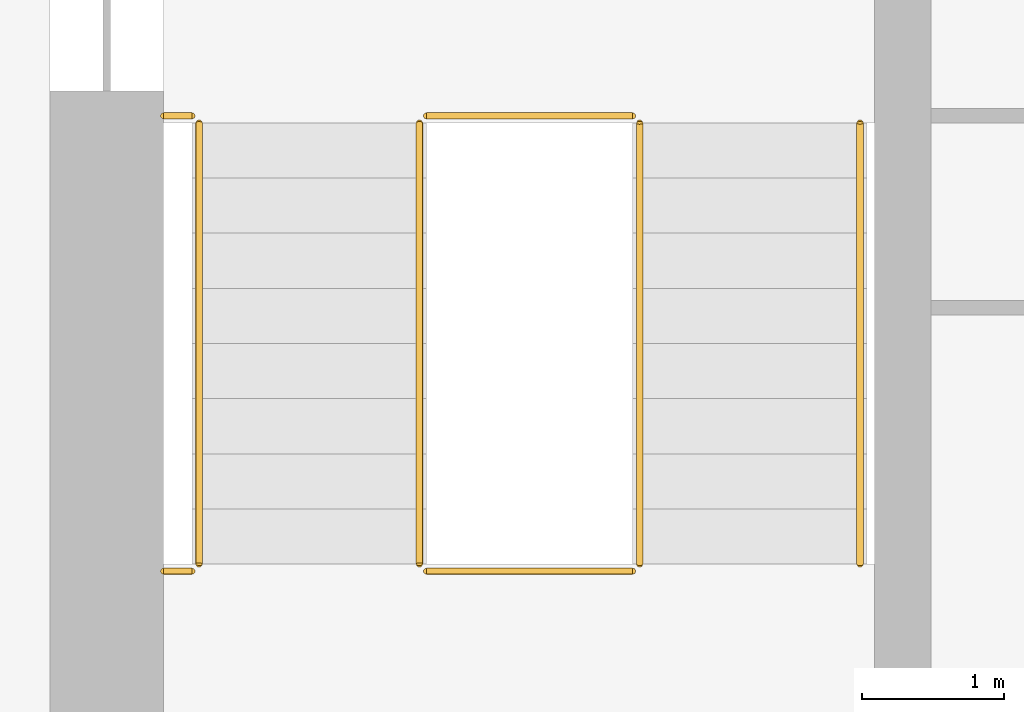
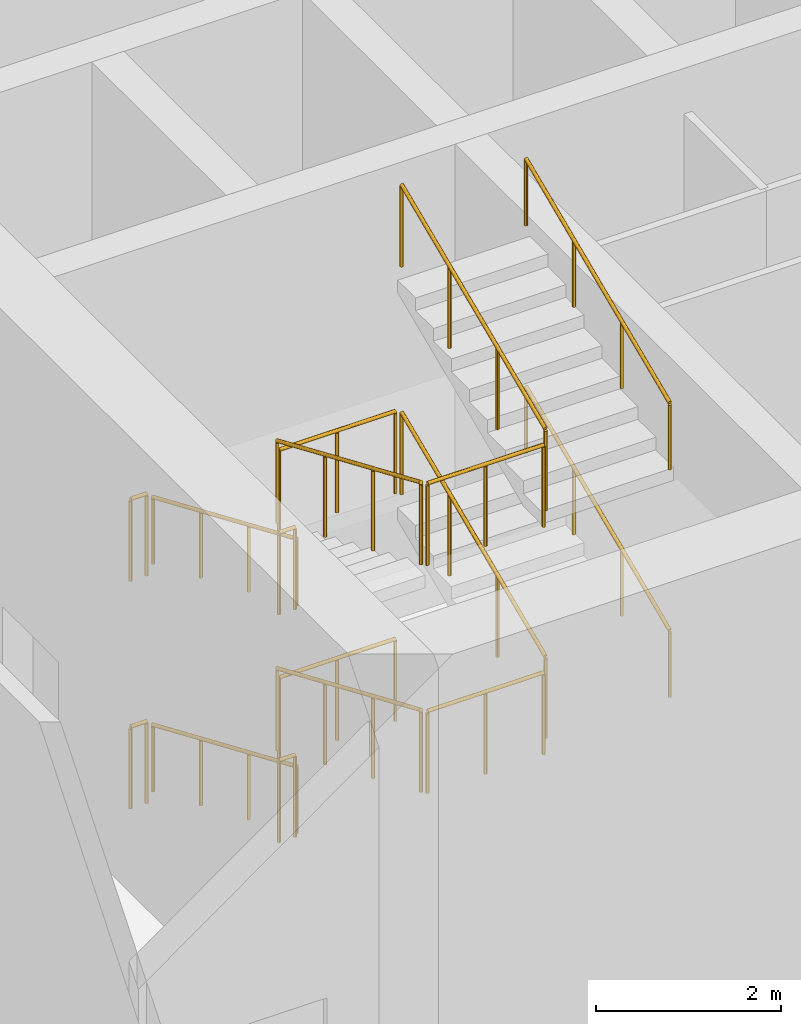
# One storey, part 19 of 25: 16 railings.
"""IFC4 building model written with IfcOpenShell, lengths in metres."""

from ifc_helpers import new_model, si_unit, direction, frame, origin, origin_2d, place, context, subcontext, project, spatial, circle, extrude, material, type_object, element, save


model = new_model("IFC4")

# Units and contexts
model_context = context("Model", 3, precision=1e-05, world=origin(), true_north=direction((0.0, 1.0)))
body_context = subcontext(model_context, "Body", "Model", "MODEL_VIEW")
ifc_project = project(units=[si_unit("LENGTHUNIT", "METRE"), si_unit("AREAUNIT", "SQUARE_METRE"), si_unit("VOLUMEUNIT", "CUBIC_METRE"), si_unit("PLANEANGLEUNIT", "RADIAN"), si_unit("MASSUNIT", "GRAM", prefix="KILO")], contexts=[model_context])

# Site, building, storey
site_placement = place(None, origin())
site = spatial("IfcSite", under=ifc_project, at=site_placement, CompositionType="ELEMENT")
building_placement = place(site_placement, origin())
building = spatial("IfcBuilding", under=site, at=building_placement, Name="Corbel Stack Research Tower", CompositionType="ELEMENT")
storey_placement = place(building_placement, frame((0.0, 0.0, 220.199951171875)))
storey = spatial("IfcBuildingStorey", under=building, at=storey_placement, Name="L50", CompositionType="ELEMENT", Elevation=220.199951171875)

# Railings
ifc_material_1 = material(Name="Steel S355", Category="steel")
railing_type_1 = type_object("IfcRailingType", Name="Stair guard 1100", PredefinedType="GUARDRAIL", material=ifc_material_1)
railing_1_placement = place(storey_placement, frame((-7.89990234375, -2.39990234375, 0.166748046875)))
element("IfcRailing", 1, at=railing_1_placement, inside=storey, type_object=railing_type_1, Name="L50 ST-W1 stair guard 1", PredefinedType="GUARDRAIL", context=body_context, shape_type="SweptSolid", body=[
    extrude(circle(Radius=0.02392578125, at=origin_2d()), frame((0.0, 0.0, 1.076171875), z_axis=(0.0, -0.918826996994, 0.394660549834), x_axis=(1.0, 0.0, 0.0)), (0.0, 0.0, 1.0), 3.378173828125),
    extrude(circle(Radius=0.02099609375, at=origin_2d()), origin(), (0.0, 0.0, 1.0), 1.052001953125),
    extrude(circle(Radius=0.02099609375, at=origin_2d()), frame((0.0, -1.03466796875, 0.4443359375)), (0.0, 0.0, 1.0), 1.052001953125),
    extrude(circle(Radius=0.02099609375, at=origin_2d()), frame((0.0, -2.0693359375, 0.888916015625)), (0.0, 0.0, 1.0), 1.052001953125),
    extrude(circle(Radius=0.02099609375, at=origin_2d()), frame((0.0, -3.10400390625, 1.333251953125)), (0.0, 0.0, 1.0), 1.052001953125),
])
railing_2_placement = place(storey_placement, frame((-7.85009765625, -5.553955078125, 1.5)))
element("IfcRailing", 2, at=railing_2_placement, inside=storey, type_object=railing_type_1, Name="L50 ST-W1 stair guard 2", PredefinedType="GUARDRAIL", context=body_context, shape_type="SweptSolid", body=[
    extrude(circle(Radius=0.02392578125, at=origin_2d()), frame((0.0, 0.0, 1.076171875), z_axis=(1.0, 0.0, 0.0), x_axis=(0.0, 1.0, 0.0)), (0.0, 0.0, 1.0), 1.4501953125),
    extrude(circle(Radius=0.02099609375, at=origin_2d()), origin(), (0.0, 0.0, 1.0), 1.052001953125),
    extrude(circle(Radius=0.02099609375, at=origin_2d()), frame((0.72509765625, 0.0, 0.0)), (0.0, 0.0, 1.0), 1.052001953125),
    extrude(circle(Radius=0.02099609375, at=origin_2d()), frame((1.4501953125, 0.0, 0.0)), (0.0, 0.0, 1.0), 1.052001953125),
])
railing_3_placement = place(storey_placement, frame((-9.699951171875, -5.553955078125, 1.5)))
element("IfcRailing", 3, at=railing_3_placement, inside=storey, type_object=railing_type_1, Name="L50 ST-W1 stair guard 3", PredefinedType="GUARDRAIL", context=body_context, shape_type="SweptSolid", body=[
    extrude(circle(Radius=0.02392578125, at=origin_2d()), frame((0.0, 0.0, 1.076171875), z_axis=(1.0, 0.0, 0.0), x_axis=(0.0, 1.0, 0.0)), (0.0, 0.0, 1.0), 0.199951171875),
    extrude(circle(Radius=0.02099609375, at=origin_2d()), origin(), (0.0, 0.0, 1.0), 1.052001953125),
    extrude(circle(Radius=0.02099609375, at=origin_2d()), frame((0.199951171875, 0.0, 0.0)), (0.0, 0.0, 1.0), 1.052001953125),
])
railing_4_placement = place(storey_placement, frame((-6.35009765625, -5.50390625, 1.666748046875)))
element("IfcRailing", 4, at=railing_4_placement, inside=storey, type_object=railing_type_1, Name="L50 ST-W1 stair guard 4", PredefinedType="GUARDRAIL", context=body_context, shape_type="SweptSolid", body=[
    extrude(circle(Radius=0.02392578125, at=origin_2d()), frame((0.0, 0.0, 1.076171875), z_axis=(0.0, 0.918826996994, 0.394660549834), x_axis=(-1.0, 0.0, 0.0)), (0.0, 0.0, 1.0), 3.378173828125),
    extrude(circle(Radius=0.02099609375, at=origin_2d()), origin(), (0.0, 0.0, 1.0), 1.052001953125),
    extrude(circle(Radius=0.02099609375, at=origin_2d()), frame((0.0, 1.03466796875, 0.4443359375)), (0.0, 0.0, 1.0), 1.052001953125),
    extrude(circle(Radius=0.02099609375, at=origin_2d()), frame((0.0, 2.0693359375, 0.888916015625)), (0.0, 0.0, 1.0), 1.052001953125),
    extrude(circle(Radius=0.02099609375, at=origin_2d()), frame((0.0, 3.10400390625, 1.333251953125)), (0.0, 0.0, 1.0), 1.052001953125),
])
railing_5_placement = place(storey_placement, frame((-7.85009765625, -2.35009765625, 3.0)))
element("IfcRailing", 5, at=railing_5_placement, inside=storey, type_object=railing_type_1, Name="L50 ST-W1 stair guard 5", PredefinedType="GUARDRAIL", context=body_context, shape_type="SweptSolid", body=[
    extrude(circle(Radius=0.02392578125, at=origin_2d()), frame((0.0, 0.0, 1.076171875), z_axis=(1.0, 0.0, 0.0), x_axis=(0.0, 1.0, 0.0)), (0.0, 0.0, 1.0), 1.4501953125),
    extrude(circle(Radius=0.02099609375, at=origin_2d()), origin(), (0.0, 0.0, 1.0), 1.052001953125),
    extrude(circle(Radius=0.02099609375, at=origin_2d()), frame((0.72509765625, 0.0, 0.0)), (0.0, 0.0, 1.0), 1.052001953125),
    extrude(circle(Radius=0.02099609375, at=origin_2d()), frame((1.4501953125, 0.0, 0.0)), (0.0, 0.0, 1.0), 1.052001953125),
])
railing_6_placement = place(storey_placement, frame((-9.699951171875, -2.35009765625, 3.0)))
element("IfcRailing", 6, at=railing_6_placement, inside=storey, type_object=railing_type_1, Name="L50 ST-W1 stair guard 6", PredefinedType="GUARDRAIL", context=body_context, shape_type="SweptSolid", body=[
    extrude(circle(Radius=0.02392578125, at=origin_2d()), frame((0.0, 0.0, 1.076171875), z_axis=(1.0, 0.0, 0.0), x_axis=(0.0, 1.0, 0.0)), (0.0, 0.0, 1.0), 0.199951171875),
    extrude(circle(Radius=0.02099609375, at=origin_2d()), origin(), (0.0, 0.0, 1.0), 1.052001953125),
    extrude(circle(Radius=0.02099609375, at=origin_2d()), frame((0.199951171875, 0.0, 0.0)), (0.0, 0.0, 1.0), 1.052001953125),
])
railing_7_placement = place(storey_placement, frame((-7.89990234375, -2.39990234375, 3.166748046875)))
element("IfcRailing", 7, at=railing_7_placement, inside=storey, type_object=railing_type_1, Name="L50 ST-W1 stair guard 7", PredefinedType="GUARDRAIL", context=body_context, shape_type="SweptSolid", body=[
    extrude(circle(Radius=0.02392578125, at=origin_2d()), frame((0.0, 0.0, 1.076171875), z_axis=(0.0, -0.918826996994, 0.394660549834), x_axis=(1.0, 0.0, 0.0)), (0.0, 0.0, 1.0), 3.378173828125),
    extrude(circle(Radius=0.02099609375, at=origin_2d()), origin(), (0.0, 0.0, 1.0), 1.052001953125),
    extrude(circle(Radius=0.02099609375, at=origin_2d()), frame((0.0, -1.03466796875, 0.4443359375)), (0.0, 0.0, 1.0), 1.052001953125),
    extrude(circle(Radius=0.02099609375, at=origin_2d()), frame((0.0, -2.0693359375, 0.888916015625)), (0.0, 0.0, 1.0), 1.052001953125),
    extrude(circle(Radius=0.02099609375, at=origin_2d()), frame((0.0, -3.10400390625, 1.333251953125)), (0.0, 0.0, 1.0), 1.052001953125),
])
railing_8_placement = place(storey_placement, frame((-7.85009765625, -5.553955078125, 4.5)))
element("IfcRailing", 8, at=railing_8_placement, inside=storey, type_object=railing_type_1, Name="L50 ST-W1 stair guard 8", PredefinedType="GUARDRAIL", context=body_context, shape_type="SweptSolid", body=[
    extrude(circle(Radius=0.02392578125, at=origin_2d()), frame((0.0, 0.0, 1.076171875), z_axis=(1.0, 0.0, 0.0), x_axis=(0.0, 1.0, 0.0)), (0.0, 0.0, 1.0), 1.4501953125),
    extrude(circle(Radius=0.02099609375, at=origin_2d()), origin(), (0.0, 0.0, 1.0), 1.052001953125),
    extrude(circle(Radius=0.02099609375, at=origin_2d()), frame((0.72509765625, 0.0, 0.0)), (0.0, 0.0, 1.0), 1.052001953125),
    extrude(circle(Radius=0.02099609375, at=origin_2d()), frame((1.4501953125, 0.0, 0.0)), (0.0, 0.0, 1.0), 1.052001953125),
])
railing_9_placement = place(storey_placement, frame((-9.699951171875, -5.553955078125, 4.5)))
element("IfcRailing", 9, at=railing_9_placement, inside=storey, type_object=railing_type_1, Name="L50 ST-W1 stair guard 9", PredefinedType="GUARDRAIL", context=body_context, shape_type="SweptSolid", body=[
    extrude(circle(Radius=0.02392578125, at=origin_2d()), frame((0.0, 0.0, 1.076171875), z_axis=(1.0, 0.0, 0.0), x_axis=(0.0, 1.0, 0.0)), (0.0, 0.0, 1.0), 0.199951171875),
    extrude(circle(Radius=0.02099609375, at=origin_2d()), origin(), (0.0, 0.0, 1.0), 1.052001953125),
    extrude(circle(Radius=0.02099609375, at=origin_2d()), frame((0.199951171875, 0.0, 0.0)), (0.0, 0.0, 1.0), 1.052001953125),
])
railing_10_placement = place(storey_placement, frame((-6.35009765625, -5.50390625, 4.666748046875)))
element("IfcRailing", 10, at=railing_10_placement, inside=storey, type_object=railing_type_1, Name="L50 ST-W1 stair guard 10", PredefinedType="GUARDRAIL", context=body_context, shape_type="SweptSolid", body=[
    extrude(circle(Radius=0.02392578125, at=origin_2d()), frame((0.0, 0.0, 1.076171875), z_axis=(0.0, 0.918826996994, 0.394660549834), x_axis=(-1.0, 0.0, 0.0)), (0.0, 0.0, 1.0), 3.378173828125),
    extrude(circle(Radius=0.02099609375, at=origin_2d()), origin(), (0.0, 0.0, 1.0), 1.052001953125),
    extrude(circle(Radius=0.02099609375, at=origin_2d()), frame((0.0, 1.03466796875, 0.4443359375)), (0.0, 0.0, 1.0), 1.052001953125),
    extrude(circle(Radius=0.02099609375, at=origin_2d()), frame((0.0, 2.0693359375, 0.888916015625)), (0.0, 0.0, 1.0), 1.052001953125),
    extrude(circle(Radius=0.02099609375, at=origin_2d()), frame((0.0, 3.10400390625, 1.333251953125)), (0.0, 0.0, 1.0), 1.052001953125),
])
railing_11_placement = place(storey_placement, frame((-7.85009765625, -2.35009765625, 0.0)))
element("IfcRailing", 11, at=railing_11_placement, inside=storey, type_object=railing_type_1, Name="L50 ST-W1 stair guard 11", PredefinedType="GUARDRAIL", context=body_context, shape_type="SweptSolid", body=[
    extrude(circle(Radius=0.02392578125, at=origin_2d()), frame((0.0, 0.0, 1.076171875), z_axis=(1.0, 0.0, 0.0), x_axis=(0.0, 1.0, 0.0)), (0.0, 0.0, 1.0), 1.4501953125),
    extrude(circle(Radius=0.02099609375, at=origin_2d()), origin(), (0.0, 0.0, 1.0), 1.052001953125),
    extrude(circle(Radius=0.02099609375, at=origin_2d()), frame((0.72509765625, 0.0, 0.0)), (0.0, 0.0, 1.0), 1.052001953125),
    extrude(circle(Radius=0.02099609375, at=origin_2d()), frame((1.4501953125, 0.0, 0.0)), (0.0, 0.0, 1.0), 1.052001953125),
])
railing_12_placement = place(storey_placement, frame((-9.699951171875, -2.35009765625, 0.0)))
element("IfcRailing", 12, at=railing_12_placement, inside=storey, type_object=railing_type_1, Name="L50 ST-W1 stair guard 12", PredefinedType="GUARDRAIL", context=body_context, shape_type="SweptSolid", body=[
    extrude(circle(Radius=0.02392578125, at=origin_2d()), frame((0.0, 0.0, 1.076171875), z_axis=(1.0, 0.0, 0.0), x_axis=(0.0, 1.0, 0.0)), (0.0, 0.0, 1.0), 0.199951171875),
    extrude(circle(Radius=0.02099609375, at=origin_2d()), origin(), (0.0, 0.0, 1.0), 1.052001953125),
    extrude(circle(Radius=0.02099609375, at=origin_2d()), frame((0.199951171875, 0.0, 0.0)), (0.0, 0.0, 1.0), 1.052001953125),
])
ifc_material_2 = material(Name="Steel S355", Category="steel")
railing_type_2 = type_object("IfcRailingType", Name="Stair handrail 900", PredefinedType="HANDRAIL", material=ifc_material_2)
railing_13_placement = place(storey_placement, frame((-9.449951171875, -2.39990234375, 0.166748046875)))
element("IfcRailing", 13, at=railing_13_placement, inside=storey, type_object=railing_type_2, Name="L50 ST-W1 stair handrail 1", PredefinedType="HANDRAIL", context=body_context, shape_type="SweptSolid", body=[
    extrude(circle(Radius=0.02392578125, at=origin_2d()), frame((0.0, 0.0, 0.8759765625), z_axis=(0.0, -0.918826996994, 0.394660549834), x_axis=(1.0, 0.0, 0.0)), (0.0, 0.0, 1.0), 3.378173828125),
    extrude(circle(Radius=0.02099609375, at=origin_2d()), origin(), (0.0, 0.0, 1.0), 0.851806640625),
    extrude(circle(Radius=0.02099609375, at=origin_2d()), frame((0.0, -1.03466796875, 0.4443359375)), (0.0, 0.0, 1.0), 0.851806640625),
    extrude(circle(Radius=0.02099609375, at=origin_2d()), frame((0.0, -2.0693359375, 0.888916015625)), (0.0, 0.0, 1.0), 0.851806640625),
    extrude(circle(Radius=0.02099609375, at=origin_2d()), frame((0.0, -3.10400390625, 1.333251953125)), (0.0, 0.0, 1.0), 0.851806640625),
])
railing_14_placement = place(storey_placement, frame((-4.800048828125, -5.50390625, 1.666748046875)))
element("IfcRailing", 14, at=railing_14_placement, inside=storey, type_object=railing_type_2, Name="L50 ST-W1 stair handrail 2", PredefinedType="HANDRAIL", context=body_context, shape_type="SweptSolid", body=[
    extrude(circle(Radius=0.02392578125, at=origin_2d()), frame((0.0, 0.0, 0.8759765625), z_axis=(0.0, 0.918826996994, 0.394660549834), x_axis=(-1.0, 0.0, 0.0)), (0.0, 0.0, 1.0), 3.378173828125),
    extrude(circle(Radius=0.02099609375, at=origin_2d()), origin(), (0.0, 0.0, 1.0), 0.851806640625),
    extrude(circle(Radius=0.02099609375, at=origin_2d()), frame((0.0, 1.03466796875, 0.4443359375)), (0.0, 0.0, 1.0), 0.851806640625),
    extrude(circle(Radius=0.02099609375, at=origin_2d()), frame((0.0, 2.0693359375, 0.888916015625)), (0.0, 0.0, 1.0), 0.851806640625),
    extrude(circle(Radius=0.02099609375, at=origin_2d()), frame((0.0, 3.10400390625, 1.333251953125)), (0.0, 0.0, 1.0), 0.851806640625),
])
railing_15_placement = place(storey_placement, frame((-9.449951171875, -2.39990234375, 3.166748046875)))
element("IfcRailing", 15, at=railing_15_placement, inside=storey, type_object=railing_type_2, Name="L50 ST-W1 stair handrail 3", PredefinedType="HANDRAIL", context=body_context, shape_type="SweptSolid", body=[
    extrude(circle(Radius=0.02392578125, at=origin_2d()), frame((0.0, 0.0, 0.8759765625), z_axis=(0.0, -0.918826996994, 0.394660549834), x_axis=(1.0, 0.0, 0.0)), (0.0, 0.0, 1.0), 3.378173828125),
    extrude(circle(Radius=0.02099609375, at=origin_2d()), origin(), (0.0, 0.0, 1.0), 0.851806640625),
    extrude(circle(Radius=0.02099609375, at=origin_2d()), frame((0.0, -1.03466796875, 0.4443359375)), (0.0, 0.0, 1.0), 0.851806640625),
    extrude(circle(Radius=0.02099609375, at=origin_2d()), frame((0.0, -2.0693359375, 0.888916015625)), (0.0, 0.0, 1.0), 0.851806640625),
    extrude(circle(Radius=0.02099609375, at=origin_2d()), frame((0.0, -3.10400390625, 1.333251953125)), (0.0, 0.0, 1.0), 0.851806640625),
])
railing_16_placement = place(storey_placement, frame((-4.800048828125, -5.50390625, 4.666748046875)))
element("IfcRailing", 16, at=railing_16_placement, inside=storey, type_object=railing_type_2, Name="L50 ST-W1 stair handrail 4", PredefinedType="HANDRAIL", context=body_context, shape_type="SweptSolid", body=[
    extrude(circle(Radius=0.02392578125, at=origin_2d()), frame((0.0, 0.0, 0.8759765625), z_axis=(0.0, 0.918826996994, 0.394660549834), x_axis=(-1.0, 0.0, 0.0)), (0.0, 0.0, 1.0), 3.378173828125),
    extrude(circle(Radius=0.02099609375, at=origin_2d()), origin(), (0.0, 0.0, 1.0), 0.851806640625),
    extrude(circle(Radius=0.02099609375, at=origin_2d()), frame((0.0, 1.03466796875, 0.4443359375)), (0.0, 0.0, 1.0), 0.851806640625),
    extrude(circle(Radius=0.02099609375, at=origin_2d()), frame((0.0, 2.0693359375, 0.888916015625)), (0.0, 0.0, 1.0), 0.851806640625),
    extrude(circle(Radius=0.02099609375, at=origin_2d()), frame((0.0, 3.10400390625, 1.333251953125)), (0.0, 0.0, 1.0), 0.851806640625),
])

save(model, "model.ifc")
